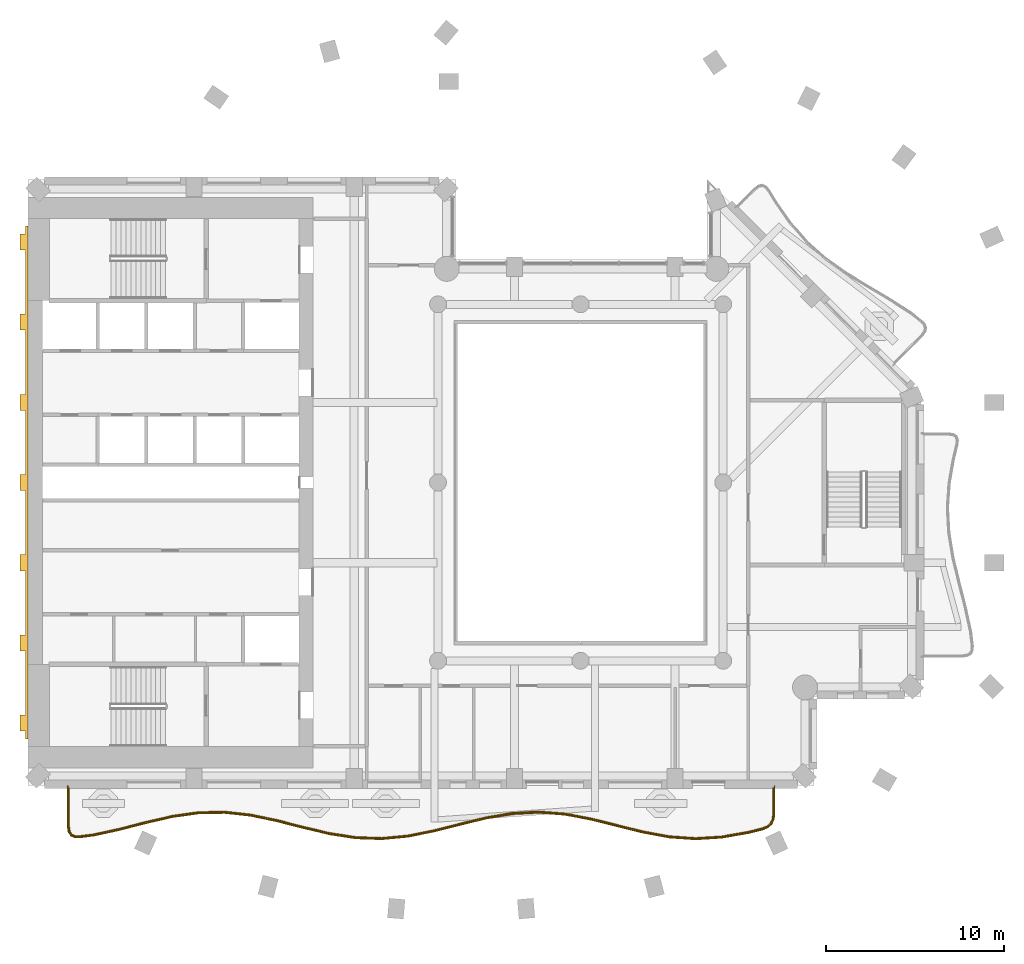
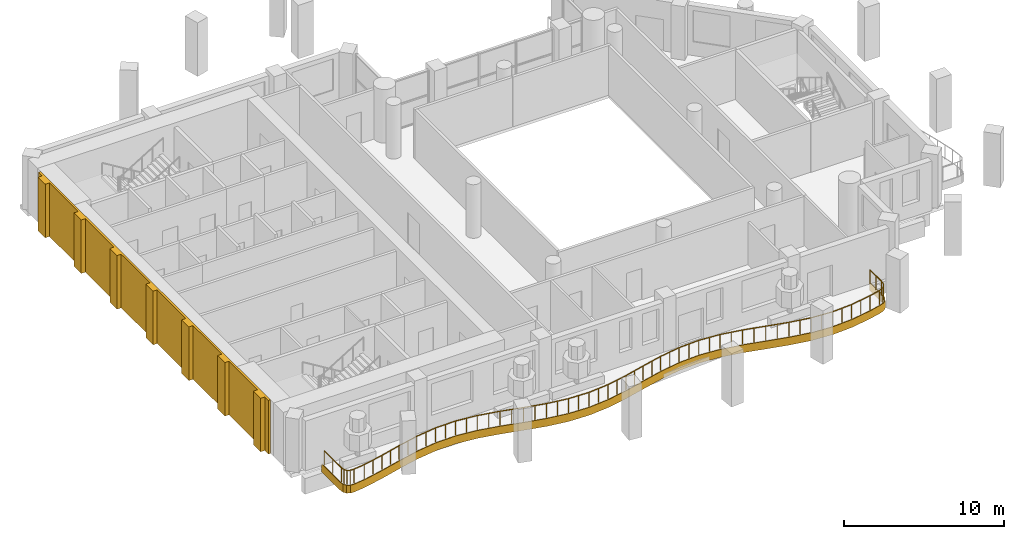
# One storey, part 10 of 14: 2 coverings, 1 railing.
"""IFC4 building model written with IfcOpenShell, lengths in metres."""

from ifc_helpers import new_model, si_unit, direction, frame, origin, origin_2d, place, context, subcontext, project, spatial, polyline, rectangle, outline, extrude, material, layer, layer_set, type_object, element, save


model = new_model("IFC4")

# Units and contexts
model_context = context("Model", 3, precision=1e-05, world=origin(), true_north=direction((0.0, 1.0)))
body_context = subcontext(model_context, "Body", "Model", "MODEL_VIEW")
ifc_project = project(units=[si_unit("LENGTHUNIT", "METRE"), si_unit("AREAUNIT", "SQUARE_METRE"), si_unit("VOLUMEUNIT", "CUBIC_METRE"), si_unit("PLANEANGLEUNIT", "RADIAN"), si_unit("MASSUNIT", "GRAM", prefix="KILO")], contexts=[model_context])

# Site, building, storey
site_placement = place(None, origin())
site = spatial("IfcSite", under=ifc_project, at=site_placement, CompositionType="ELEMENT")
building_placement = place(site_placement, origin())
building = spatial("IfcBuilding", under=site, at=building_placement, Name="Cypress Arch Tower", CompositionType="ELEMENT")
storey_placement = place(building_placement, frame((0.0, 0.0, 222.0)))
storey = spatial("IfcBuildingStorey", under=building, at=storey_placement, Name="L49", CompositionType="ELEMENT", Elevation=222.0)

# Covering
ifc_material_1 = material(Name="White powder-coated aluminium fascia", Category="aluminium")
ifc_layer_1 = layer(ifc_material_1, 0.050048828125)
ifc_layer_set_1 = layer_set([ifc_layer_1], Name="Balcony fascia BF50")
covering_type_1 = type_object("IfcCoveringType", Name="Balcony fascia BF50", PredefinedType="CLADDING", material=ifc_layer_set_1)
covering_1_placement = place(storey_placement, frame((0.0, 0.0, -0.60009765625)))
element("IfcCovering", 1, at=covering_1_placement, inside=storey, type_object=covering_type_1, Name="Balcony fascia L49-B01", PredefinedType="CLADDING", context=body_context, shape_type="SweptSolid", body=[
    extrude(outline(polyline([(11.89990234375, -18.610107421875), (11.857177734375, -18.929443359375), (11.72509765625, -19.1884765625), (11.5048828125, -19.378662109375), (11.205078125, -19.496337890625), (10.3935546875, -19.696044921875), (8.922607421875, -19.954833984375), (7.44970703125, -20.044677734375), (5.97705078125, -19.94189453125), (4.506103515625, -19.673583984375), (3.037841796875, -19.308837890625), (1.572509765625, -18.94140625), (0.110107421875, -18.66552734375), (-1.3505859375, -18.551025390625), (-2.811279296875, -18.62744140625), (-4.273193359375, -18.874755859375), (-5.738037109375, -19.230712890625), (-7.20556640625, -19.60400390625), (-8.676025390625, -19.89892578125), (-10.1484375, -20.0390625), (-11.621337890625, -19.98828125), (-13.093017578125, -19.760009765625), (-14.56201171875, -19.412841796875), (-16.028076171875, -19.036376953125), (-17.4912109375, -18.72705078125), (-18.952392578125, -18.563720703125), (-20.412841796875, -18.587890625), (-21.874267578125, -18.793212890625), (-23.338134765625, -19.127685546875), (-24.804931640625, -19.506103515625), (-26.274658203125, -19.8310546875), (-27.087158203125, -19.934814453125), (-27.390380859375, -19.929931640625), (-27.619384765625, -19.82080078125), (-27.756591796875, -19.607421875), (-27.800048828125, -19.307373046875), (-27.800048828125, -17.0009765625), (-27.75, -17.0009765625), (-27.75, -19.3037109375), (-27.708740234375, -19.589599609375), (-27.5849609375, -19.78173828125), (-27.378662109375, -19.880126953125), (-27.090087890625, -19.884765625), (-26.283447265625, -19.78173828125), (-24.816650390625, -19.45751953125), (-23.35009765625, -19.0791015625), (-21.88330078125, -18.744140625), (-20.416748046875, -18.537841796875), (-18.949951171875, -18.513671875), (-17.4833984375, -18.677734375), (-16.0166015625, -18.987548828125), (-14.550048828125, -19.3642578125), (-13.083251953125, -19.710693359375), (-11.61669921875, -19.9384765625), (-10.14990234375, -19.989013671875), (-8.683349609375, -19.849365234375), (-7.216552734375, -19.55517578125), (-5.75, -19.18212890625), (-4.283447265625, -18.825927734375), (-2.816650390625, -18.57763671875), (-1.35009765625, -18.5009765625), (0.11669921875, -18.615966796875), (1.583251953125, -18.892578125), (3.050048828125, -19.26025390625), (4.5166015625, -19.624755859375), (5.9833984375, -19.892333984375), (7.449951171875, -19.994384765625), (8.916748046875, -19.905029296875), (10.38330078125, -19.64697265625), (11.18994140625, -19.44873046875), (11.478759765625, -19.335205078125), (11.68505859375, -19.156982421875), (11.808837890625, -18.914306640625), (11.85009765625, -18.606689453125), (11.85009765625, -17.0009765625), (11.89990234375, -17.0009765625), (11.89990234375, -18.610107421875)])), origin(), (0.0, 0.0, 1.0), 0.60009765625),
])

# Railing
ifc_material_2 = material(Name="Powder-coated steel posts and rods, 100 mm clear between rods", Category="steel")
railing_type = type_object("IfcRailingType", Name="Balcony guard GR1100", PredefinedType="GUARDRAIL", material=ifc_material_2)
railing_placement = place(storey_placement, frame((11.800048828125, -17.14990234375, 0.0)))
element("IfcRailing", 2, at=railing_placement, inside=storey, type_object=railing_type, Name="Balcony guard L49-B01", PredefinedType="GUARDRAIL", context=body_context, shape_type="SweptSolid", body=[
    extrude(rectangle(XDim=0.050048828125, YDim=0.050048828125, at=origin_2d()), frame((0.0, 0.0, 1.0751953125), z_axis=(0.0, -1.0, 0.0), x_axis=(1.0, 0.0, 0.0)), (0.0, 0.0, 1.0), 1.45361328125),
    extrude(rectangle(XDim=0.050048828125, YDim=0.050048828125, at=origin_2d()), frame((0.0, -1.45361328125, 1.0751953125), z_axis=(-0.133396554096, -0.991062742391, 0.0), x_axis=(0.991062742391, -0.133396554096, 0.0)), (0.0, 0.0, 1.0), 0.29833984375),
    extrude(rectangle(XDim=0.050048828125, YDim=0.050048828125, at=origin_2d()), frame((-0.039794921875, -1.749267578125, 1.0751953125), z_axis=(-0.453350154298, -0.891332506755, 0.0), x_axis=(0.891332506755, -0.453350154298, 0.0)), (0.0, 0.0, 1.0), 0.254150390625),
    extrude(rectangle(XDim=0.050048828125, YDim=0.050048828125, at=origin_2d()), frame((-0.155029296875, -1.975830078125, 1.0751953125), z_axis=(-0.757082184026, -0.65331965119, 0.0), x_axis=(0.65331965119, -0.757082184026, 0.0)), (0.0, 0.0, 1.0), 0.254150390625),
    extrude(rectangle(XDim=0.050048828125, YDim=0.050048828125, at=origin_2d()), frame((-0.347412109375, -2.141845703125, 1.0751953125), z_axis=(-0.930771374741, -0.365601761432, 0.0), x_axis=(0.365601761432, -0.930771374741, 0.0)), (0.0, 0.0, 1.0), 0.298583984375),
    extrude(rectangle(XDim=0.050048828125, YDim=0.050048828125, at=origin_2d()), frame((-0.625244140625, -2.2509765625, 1.0751953125), z_axis=(-0.971108776171, -0.238637266251, 0.0), x_axis=(0.238637266251, -0.971108776171, 0.0)), (0.0, 0.0, 1.0), 0.82568359375),
    extrude(rectangle(XDim=0.050048828125, YDim=0.050048828125, at=origin_2d()), frame((-1.427001953125, -2.447998046875, 1.0751953125), z_axis=(-0.984864570663, -0.17332563992, 0.0), x_axis=(0.17332563992, -0.984864570663, 0.0)), (0.0, 0.0, 1.0), 1.484619140625),
    extrude(rectangle(XDim=0.050048828125, YDim=0.050048828125, at=origin_2d()), frame((-2.88916015625, -2.705322265625, 1.0751953125), z_axis=(-0.998144300984, -0.060892975073, 0.0), x_axis=(0.060892975073, -0.998144300984, 0.0)), (0.0, 0.0, 1.0), 1.46337890625),
    extrude(rectangle(XDim=0.050048828125, YDim=0.050048828125, at=origin_2d()), frame((-4.349853515625, -2.79443359375, 1.0751953125), z_axis=(-0.997579944344, 0.069528804411, 0.0), x_axis=(-0.069528804411, -0.997579944344, 0.0)), (0.0, 0.0, 1.0), 1.46435546875),
    extrude(rectangle(XDim=0.050048828125, YDim=0.050048828125, at=origin_2d()), frame((-5.810546875, -2.692626953125, 1.0751953125), z_axis=(-0.983756721404, 0.179506860851, 0.0), x_axis=(-0.179506860851, -0.983756721404, 0.0)), (0.0, 0.0, 1.0), 1.486572265625),
    extrude(rectangle(XDim=0.050048828125, YDim=0.050048828125, at=origin_2d()), frame((-7.27294921875, -2.42578125, 1.0751953125), z_axis=(-0.970531296083, 0.240975109342, 0.0), x_axis=(-0.240975109342, -0.970531296083, 0.0)), (0.0, 0.0, 1.0), 1.509521484375),
    extrude(rectangle(XDim=0.050048828125, YDim=0.050048828125, at=origin_2d()), frame((-8.738037109375, -2.06201171875, 1.0751953125), z_axis=(-0.96996194355, 0.243256712269, 0.0), x_axis=(-0.243256712269, -0.96996194355, 0.0)), (0.0, 0.0, 1.0), 1.513427734375),
    extrude(rectangle(XDim=0.050048828125, YDim=0.050048828125, at=origin_2d()), frame((-10.2060546875, -1.69384765625, 1.0751953125), z_axis=(-0.982649875994, 0.185470270419, 0.0), x_axis=(-0.185470270419, -0.982649875994, 0.0)), (0.0, 0.0, 1.0), 1.49658203125),
    extrude(rectangle(XDim=0.050048828125, YDim=0.050048828125, at=origin_2d()), frame((-11.6767578125, -1.416259765625, 1.0751953125), z_axis=(-0.99695250827, 0.078010872663, 0.0), x_axis=(-0.078010872663, -0.99695250827, 0.0)), (0.0, 0.0, 1.0), 1.47705078125),
    extrude(rectangle(XDim=0.050048828125, YDim=0.050048828125, at=origin_2d()), frame((-13.1494140625, -1.301025390625, 1.0751953125), z_axis=(-0.998639690925, -0.052141803852, 0.0), x_axis=(0.052141803852, -0.998639690925, 0.0)), (0.0, 0.0, 1.0), 1.474853515625),
    extrude(rectangle(XDim=0.050048828125, YDim=0.050048828125, at=origin_2d()), frame((-14.622314453125, -1.3779296875, 1.0751953125), z_axis=(-0.985975087002, -0.166892563681, 0.0), x_axis=(0.166892563681, -0.985975087002, 0.0)), (0.0, 0.0, 1.0), 1.4921875),
    extrude(rectangle(XDim=0.050048828125, YDim=0.050048828125, at=origin_2d()), frame((-16.093505859375, -1.626953125, 1.0751953125), z_axis=(-0.971745764253, -0.236030018549, 0.0), x_axis=(0.236030018549, -0.971745764253, 0.0)), (0.0, 0.0, 1.0), 1.51123046875),
    extrude(rectangle(XDim=0.050048828125, YDim=0.050048828125, at=origin_2d()), frame((-17.56201171875, -1.983642578125, 1.0751953125), z_axis=(-0.969146967384, -0.246483580812, 0.0), x_axis=(0.246483580812, -0.969146967384, 0.0)), (0.0, 0.0, 1.0), 1.512451171875),
    extrude(rectangle(XDim=0.050048828125, YDim=0.050048828125, at=origin_2d()), frame((-19.02783203125, -2.3564453125, 1.0751953125), z_axis=(-0.980467230228, -0.196682511805, 0.0), x_axis=(0.196682511805, -0.980467230228, 0.0)), (0.0, 0.0, 1.0), 1.491943359375),
    extrude(rectangle(XDim=0.050048828125, YDim=0.050048828125, at=origin_2d()), frame((-20.49072265625, -2.64990234375, 1.0751953125), z_axis=(-0.995493977106, -0.094824793942, 0.0), x_axis=(0.094824793942, -0.995493977106, 0.0)), (0.0, 0.0, 1.0), 1.467529296875),
    extrude(rectangle(XDim=0.050048828125, YDim=0.050048828125, at=origin_2d()), frame((-21.95166015625, -2.7890625, 1.0751953125), z_axis=(-0.999407585649, 0.034416242501, 0.0), x_axis=(-0.034416242501, -0.999407585649, 0.0)), (0.0, 0.0, 1.0), 1.46142578125),
    extrude(rectangle(XDim=0.050048828125, YDim=0.050048828125, at=origin_2d()), frame((-23.412109375, -2.73876953125, 1.0751953125), z_axis=(-0.988149312953, 0.153495717562, 0.0), x_axis=(-0.153495717562, -0.988149312953, 0.0)), (0.0, 0.0, 1.0), 1.479248046875),
    extrude(rectangle(XDim=0.050048828125, YDim=0.050048828125, at=origin_2d()), frame((-24.873779296875, -2.51171875, 1.0751953125), z_axis=(-0.973210362373, 0.229916486076, 0.0), x_axis=(-0.229916486076, -0.973210362373, 0.0)), (0.0, 0.0, 1.0), 1.504638671875),
    extrude(rectangle(XDim=0.050048828125, YDim=0.050048828125, at=origin_2d()), frame((-26.338134765625, -2.165771484375, 1.0751953125), z_axis=(-0.968587265309, 0.248673901892, 0.0), x_axis=(-0.248673901892, -0.968587265309, 0.0)), (0.0, 0.0, 1.0), 1.514892578125),
    extrude(rectangle(XDim=0.050048828125, YDim=0.050048828125, at=origin_2d()), frame((-27.805419921875, -1.7890625, 1.0751953125), z_axis=(-0.978371842616, 0.206853903944, 0.0), x_axis=(-0.206853903944, -0.978371842616, 0.0)), (0.0, 0.0, 1.0), 1.50244140625),
    extrude(rectangle(XDim=0.050048828125, YDim=0.050048828125, at=origin_2d()), frame((-29.275390625, -1.478271484375, 1.0751953125), z_axis=(-0.993811165225, 0.111082707357, 0.0), x_axis=(-0.111082707357, -0.993811165225, 0.0)), (0.0, 0.0, 1.0), 1.4814453125),
    extrude(rectangle(XDim=0.050048828125, YDim=0.050048828125, at=origin_2d()), frame((-30.74755859375, -1.313720703125, 1.0751953125), z_axis=(-0.999862700188, -0.016570478956, 0.0), x_axis=(0.016570478956, -0.999862700188, 0.0)), (0.0, 0.0, 1.0), 1.473388671875),
    extrude(rectangle(XDim=0.050048828125, YDim=0.050048828125, at=origin_2d()), frame((-32.220703125, -1.338134765625, 1.0751953125), z_axis=(-0.99027214707, -0.139144079059, 0.0), x_axis=(0.139144079059, -0.99027214707, 0.0)), (0.0, 0.0, 1.0), 1.486083984375),
    extrude(rectangle(XDim=0.050048828125, YDim=0.050048828125, at=origin_2d()), frame((-33.6923828125, -1.544921875, 1.0751953125), z_axis=(-0.97488564061, -0.222706056793, 0.0), x_axis=(0.222706056793, -0.97488564061, 0.0)), (0.0, 0.0, 1.0), 1.50732421875),
    extrude(rectangle(XDim=0.050048828125, YDim=0.050048828125, at=origin_2d()), frame((-35.161865234375, -1.880615234375, 1.0751953125), z_axis=(-0.968284871806, -0.24984876832, 0.0), x_axis=(0.24984876832, -0.968284871806, 0.0)), (0.0, 0.0, 1.0), 1.5146484375),
    extrude(rectangle(XDim=0.050048828125, YDim=0.050048828125, at=origin_2d()), frame((-36.62841796875, -2.259033203125, 1.0751953125), z_axis=(-0.976435519493, -0.215809351681, 0.0), x_axis=(0.215809351681, -0.976435519493, 0.0)), (0.0, 0.0, 1.0), 1.4990234375),
    extrude(rectangle(XDim=0.050048828125, YDim=0.050048828125, at=origin_2d()), frame((-38.092041015625, -2.58251953125, 1.0751953125), z_axis=(-0.991939268929, -0.126714193195, 0.0), x_axis=(0.126714193195, -0.991939268929, 0.0)), (0.0, 0.0, 1.0), 0.807373046875),
    extrude(rectangle(XDim=0.050048828125, YDim=0.050048828125, at=origin_2d()), frame((-38.892822265625, -2.684814453125, 1.0751953125), z_axis=(-0.999871568419, 0.016026436537, 0.0), x_axis=(-0.016026436537, -0.999871568419, 0.0)), (0.0, 0.0, 1.0), 0.274169921875),
    extrude(rectangle(XDim=0.050048828125, YDim=0.050048828125, at=origin_2d()), frame((-39.1669921875, -2.680419921875, 1.0751953125), z_axis=(-0.9024386252, 0.430818439424, 0.0), x_axis=(-0.430818439424, -0.9024386252, 0.0)), (0.0, 0.0, 1.0), 0.203369140625),
    extrude(rectangle(XDim=0.050048828125, YDim=0.050048828125, at=origin_2d()), frame((-39.3505859375, -2.5927734375, 1.0751953125), z_axis=(-0.542454855809, 0.840084953686, 0.0), x_axis=(-0.840084953686, -0.542454855809, 0.0)), (0.0, 0.0, 1.0), 0.203369140625),
    extrude(rectangle(XDim=0.050048828125, YDim=0.050048828125, at=origin_2d()), frame((-39.4609375, -2.421875, 1.0751953125), z_axis=(-0.142292845106, 0.989824603772, 0.0), x_axis=(-0.989824603772, -0.142292845106, 0.0)), (0.0, 0.0, 1.0), 0.2744140625),
    extrude(rectangle(XDim=0.050048828125, YDim=0.050048828125, at=origin_2d()), frame((-39.5, -2.150146484375, 1.0751953125), z_axis=(0.0, 1.0, 0.0), x_axis=(-1.0, 0.0, 0.0)), (0.0, 0.0, 1.0), 2.150146484375),
    extrude(rectangle(XDim=0.0400390625, YDim=0.0400390625, at=origin_2d()), origin(), (0.0, 0.0, 1.0), 1.050048828125),
    extrude(rectangle(XDim=0.0400390625, YDim=0.0400390625, at=origin_2d()), frame((0.0, -0.726806640625, 0.0)), (0.0, 0.0, 1.0), 1.050048828125),
    extrude(rectangle(XDim=0.0400390625, YDim=0.0400390625, at=origin_2d()), frame((0.0, -1.45361328125, 0.0)), (0.0, 0.0, 1.0), 1.050048828125),
    extrude(rectangle(XDim=0.0400390625, YDim=0.0400390625, at=origin_2d()), frame((-0.039794921875, -1.749267578125, 0.0)), (0.0, 0.0, 1.0), 1.050048828125),
    extrude(rectangle(XDim=0.0400390625, YDim=0.0400390625, at=origin_2d()), frame((-0.155029296875, -1.975830078125, 0.0)), (0.0, 0.0, 1.0), 1.050048828125),
    extrude(rectangle(XDim=0.0400390625, YDim=0.0400390625, at=origin_2d()), frame((-0.347412109375, -2.141845703125, 0.0)), (0.0, 0.0, 1.0), 1.050048828125),
    extrude(rectangle(XDim=0.0400390625, YDim=0.0400390625, at=origin_2d()), frame((-0.625244140625, -2.2509765625, 0.0)), (0.0, 0.0, 1.0), 1.050048828125),
    extrude(rectangle(XDim=0.0400390625, YDim=0.0400390625, at=origin_2d()), frame((-1.427001953125, -2.447998046875, 0.0)), (0.0, 0.0, 1.0), 1.050048828125),
    extrude(rectangle(XDim=0.0400390625, YDim=0.0400390625, at=origin_2d()), frame((-2.158203125, -2.57666015625, 0.0)), (0.0, 0.0, 1.0), 1.050048828125),
    extrude(rectangle(XDim=0.0400390625, YDim=0.0400390625, at=origin_2d()), frame((-2.88916015625, -2.705322265625, 0.0)), (0.0, 0.0, 1.0), 1.050048828125),
    extrude(rectangle(XDim=0.0400390625, YDim=0.0400390625, at=origin_2d()), frame((-3.61962890625, -2.75, 0.0)), (0.0, 0.0, 1.0), 1.050048828125),
    extrude(rectangle(XDim=0.0400390625, YDim=0.0400390625, at=origin_2d()), frame((-4.349853515625, -2.79443359375, 0.0)), (0.0, 0.0, 1.0), 1.050048828125),
    extrude(rectangle(XDim=0.0400390625, YDim=0.0400390625, at=origin_2d()), frame((-5.080078125, -2.74365234375, 0.0)), (0.0, 0.0, 1.0), 1.050048828125),
    extrude(rectangle(XDim=0.0400390625, YDim=0.0400390625, at=origin_2d()), frame((-5.810546875, -2.692626953125, 0.0)), (0.0, 0.0, 1.0), 1.050048828125),
    extrude(rectangle(XDim=0.0400390625, YDim=0.0400390625, at=origin_2d()), frame((-6.541748046875, -2.55908203125, 0.0)), (0.0, 0.0, 1.0), 1.050048828125),
    extrude(rectangle(XDim=0.0400390625, YDim=0.0400390625, at=origin_2d()), frame((-7.27294921875, -2.42578125, 0.0)), (0.0, 0.0, 1.0), 1.050048828125),
    extrude(rectangle(XDim=0.0400390625, YDim=0.0400390625, at=origin_2d()), frame((-8.00537109375, -2.243896484375, 0.0)), (0.0, 0.0, 1.0), 1.050048828125),
    extrude(rectangle(XDim=0.0400390625, YDim=0.0400390625, at=origin_2d()), frame((-8.738037109375, -2.06201171875, 0.0)), (0.0, 0.0, 1.0), 1.050048828125),
    extrude(rectangle(XDim=0.0400390625, YDim=0.0400390625, at=origin_2d()), frame((-9.47216796875, -1.8779296875, 0.0)), (0.0, 0.0, 1.0), 1.050048828125),
    extrude(rectangle(XDim=0.0400390625, YDim=0.0400390625, at=origin_2d()), frame((-10.2060546875, -1.69384765625, 0.0)), (0.0, 0.0, 1.0), 1.050048828125),
    extrude(rectangle(XDim=0.0400390625, YDim=0.0400390625, at=origin_2d()), frame((-10.94140625, -1.55517578125, 0.0)), (0.0, 0.0, 1.0), 1.050048828125),
    extrude(rectangle(XDim=0.0400390625, YDim=0.0400390625, at=origin_2d()), frame((-11.6767578125, -1.416259765625, 0.0)), (0.0, 0.0, 1.0), 1.050048828125),
    extrude(rectangle(XDim=0.0400390625, YDim=0.0400390625, at=origin_2d()), frame((-12.4130859375, -1.358642578125, 0.0)), (0.0, 0.0, 1.0), 1.050048828125),
    extrude(rectangle(XDim=0.0400390625, YDim=0.0400390625, at=origin_2d()), frame((-13.1494140625, -1.301025390625, 0.0)), (0.0, 0.0, 1.0), 1.050048828125),
    extrude(rectangle(XDim=0.0400390625, YDim=0.0400390625, at=origin_2d()), frame((-13.8857421875, -1.33935546875, 0.0)), (0.0, 0.0, 1.0), 1.050048828125),
    extrude(rectangle(XDim=0.0400390625, YDim=0.0400390625, at=origin_2d()), frame((-14.622314453125, -1.3779296875, 0.0)), (0.0, 0.0, 1.0), 1.050048828125),
    extrude(rectangle(XDim=0.0400390625, YDim=0.0400390625, at=origin_2d()), frame((-15.35791015625, -1.50244140625, 0.0)), (0.0, 0.0, 1.0), 1.050048828125),
    extrude(rectangle(XDim=0.0400390625, YDim=0.0400390625, at=origin_2d()), frame((-16.093505859375, -1.626953125, 0.0)), (0.0, 0.0, 1.0), 1.050048828125),
    extrude(rectangle(XDim=0.0400390625, YDim=0.0400390625, at=origin_2d()), frame((-16.82763671875, -1.80517578125, 0.0)), (0.0, 0.0, 1.0), 1.050048828125),
    extrude(rectangle(XDim=0.0400390625, YDim=0.0400390625, at=origin_2d()), frame((-17.56201171875, -1.983642578125, 0.0)), (0.0, 0.0, 1.0), 1.050048828125),
    extrude(rectangle(XDim=0.0400390625, YDim=0.0400390625, at=origin_2d()), frame((-18.294921875, -2.169921875, 0.0)), (0.0, 0.0, 1.0), 1.050048828125),
    extrude(rectangle(XDim=0.0400390625, YDim=0.0400390625, at=origin_2d()), frame((-19.02783203125, -2.3564453125, 0.0)), (0.0, 0.0, 1.0), 1.050048828125),
    extrude(rectangle(XDim=0.0400390625, YDim=0.0400390625, at=origin_2d()), frame((-19.75927734375, -2.503173828125, 0.0)), (0.0, 0.0, 1.0), 1.050048828125),
    extrude(rectangle(XDim=0.0400390625, YDim=0.0400390625, at=origin_2d()), frame((-20.49072265625, -2.64990234375, 0.0)), (0.0, 0.0, 1.0), 1.050048828125),
    extrude(rectangle(XDim=0.0400390625, YDim=0.0400390625, at=origin_2d()), frame((-21.22119140625, -2.719482421875, 0.0)), (0.0, 0.0, 1.0), 1.050048828125),
    extrude(rectangle(XDim=0.0400390625, YDim=0.0400390625, at=origin_2d()), frame((-21.95166015625, -2.7890625, 0.0)), (0.0, 0.0, 1.0), 1.050048828125),
    extrude(rectangle(XDim=0.0400390625, YDim=0.0400390625, at=origin_2d()), frame((-22.681884765625, -2.763916015625, 0.0)), (0.0, 0.0, 1.0), 1.050048828125),
    extrude(rectangle(XDim=0.0400390625, YDim=0.0400390625, at=origin_2d()), frame((-23.412109375, -2.73876953125, 0.0)), (0.0, 0.0, 1.0), 1.050048828125),
    extrude(rectangle(XDim=0.0400390625, YDim=0.0400390625, at=origin_2d()), frame((-24.14306640625, -2.625244140625, 0.0)), (0.0, 0.0, 1.0), 1.050048828125),
    extrude(rectangle(XDim=0.0400390625, YDim=0.0400390625, at=origin_2d()), frame((-24.873779296875, -2.51171875, 0.0)), (0.0, 0.0, 1.0), 1.050048828125),
    extrude(rectangle(XDim=0.0400390625, YDim=0.0400390625, at=origin_2d()), frame((-25.60595703125, -2.3388671875, 0.0)), (0.0, 0.0, 1.0), 1.050048828125),
    extrude(rectangle(XDim=0.0400390625, YDim=0.0400390625, at=origin_2d()), frame((-26.338134765625, -2.165771484375, 0.0)), (0.0, 0.0, 1.0), 1.050048828125),
    extrude(rectangle(XDim=0.0400390625, YDim=0.0400390625, at=origin_2d()), frame((-27.07177734375, -1.9775390625, 0.0)), (0.0, 0.0, 1.0), 1.050048828125),
    extrude(rectangle(XDim=0.0400390625, YDim=0.0400390625, at=origin_2d()), frame((-27.805419921875, -1.7890625, 0.0)), (0.0, 0.0, 1.0), 1.050048828125),
    extrude(rectangle(XDim=0.0400390625, YDim=0.0400390625, at=origin_2d()), frame((-28.54052734375, -1.6337890625, 0.0)), (0.0, 0.0, 1.0), 1.050048828125),
    extrude(rectangle(XDim=0.0400390625, YDim=0.0400390625, at=origin_2d()), frame((-29.275390625, -1.478271484375, 0.0)), (0.0, 0.0, 1.0), 1.050048828125),
    extrude(rectangle(XDim=0.0400390625, YDim=0.0400390625, at=origin_2d()), frame((-30.011474609375, -1.39599609375, 0.0)), (0.0, 0.0, 1.0), 1.050048828125),
    extrude(rectangle(XDim=0.0400390625, YDim=0.0400390625, at=origin_2d()), frame((-30.74755859375, -1.313720703125, 0.0)), (0.0, 0.0, 1.0), 1.050048828125),
    extrude(rectangle(XDim=0.0400390625, YDim=0.0400390625, at=origin_2d()), frame((-31.484130859375, -1.325927734375, 0.0)), (0.0, 0.0, 1.0), 1.050048828125),
    extrude(rectangle(XDim=0.0400390625, YDim=0.0400390625, at=origin_2d()), frame((-32.220703125, -1.338134765625, 0.0)), (0.0, 0.0, 1.0), 1.050048828125),
    extrude(rectangle(XDim=0.0400390625, YDim=0.0400390625, at=origin_2d()), frame((-32.95654296875, -1.44140625, 0.0)), (0.0, 0.0, 1.0), 1.050048828125),
    extrude(rectangle(XDim=0.0400390625, YDim=0.0400390625, at=origin_2d()), frame((-33.6923828125, -1.544921875, 0.0)), (0.0, 0.0, 1.0), 1.050048828125),
    extrude(rectangle(XDim=0.0400390625, YDim=0.0400390625, at=origin_2d()), frame((-34.42724609375, -1.712890625, 0.0)), (0.0, 0.0, 1.0), 1.050048828125),
    extrude(rectangle(XDim=0.0400390625, YDim=0.0400390625, at=origin_2d()), frame((-35.161865234375, -1.880615234375, 0.0)), (0.0, 0.0, 1.0), 1.050048828125),
    extrude(rectangle(XDim=0.0400390625, YDim=0.0400390625, at=origin_2d()), frame((-35.89501953125, -2.06982421875, 0.0)), (0.0, 0.0, 1.0), 1.050048828125),
    extrude(rectangle(XDim=0.0400390625, YDim=0.0400390625, at=origin_2d()), frame((-36.62841796875, -2.259033203125, 0.0)), (0.0, 0.0, 1.0), 1.050048828125),
    extrude(rectangle(XDim=0.0400390625, YDim=0.0400390625, at=origin_2d()), frame((-37.3603515625, -2.4208984375, 0.0)), (0.0, 0.0, 1.0), 1.050048828125),
    extrude(rectangle(XDim=0.0400390625, YDim=0.0400390625, at=origin_2d()), frame((-38.092041015625, -2.58251953125, 0.0)), (0.0, 0.0, 1.0), 1.050048828125),
    extrude(rectangle(XDim=0.0400390625, YDim=0.0400390625, at=origin_2d()), frame((-38.892822265625, -2.684814453125, 0.0)), (0.0, 0.0, 1.0), 1.050048828125),
    extrude(rectangle(XDim=0.0400390625, YDim=0.0400390625, at=origin_2d()), frame((-39.1669921875, -2.680419921875, 0.0)), (0.0, 0.0, 1.0), 1.050048828125),
    extrude(rectangle(XDim=0.0400390625, YDim=0.0400390625, at=origin_2d()), frame((-39.3505859375, -2.5927734375, 0.0)), (0.0, 0.0, 1.0), 1.050048828125),
    extrude(rectangle(XDim=0.0400390625, YDim=0.0400390625, at=origin_2d()), frame((-39.4609375, -2.421875, 0.0)), (0.0, 0.0, 1.0), 1.050048828125),
    extrude(rectangle(XDim=0.0400390625, YDim=0.0400390625, at=origin_2d()), frame((-39.5, -2.150146484375, 0.0)), (0.0, 0.0, 1.0), 1.050048828125),
    extrude(rectangle(XDim=0.0400390625, YDim=0.0400390625, at=origin_2d()), frame((-39.5, -1.0751953125, 0.0)), (0.0, 0.0, 1.0), 1.050048828125),
    extrude(rectangle(XDim=0.0400390625, YDim=0.0400390625, at=origin_2d()), frame((-39.5, 0.0, 0.0)), (0.0, 0.0, 1.0), 1.050048828125),
])

# Covering
ifc_material_3 = material(Name="Brick (red buff blend)", Category="masonry")
ifc_layer_2 = layer(ifc_material_3, 0.449951171875)
ifc_layer_set_2 = layer_set([ifc_layer_2], Name="West face brick piers WP450")
covering_type_2 = type_object("IfcCoveringType", Name="West face brick piers WP450", PredefinedType="CLADDING", material=ifc_layer_set_2)
covering_2_placement = place(storey_placement, origin())
element("IfcCovering", 3, at=covering_2_placement, inside=storey, type_object=covering_type_2, Name="West face brick piers L49", PredefinedType="CLADDING", context=body_context, shape_type="SweptSolid", body=[
    extrude(outline(polyline([(-30.14990234375, -13.050048828125), (-30.14990234375, -9.449951171875), (-30.449951171875, -9.449951171875), (-30.449951171875, -8.550048828125), (-30.14990234375, -8.550048828125), (-30.14990234375, -4.949951171875), (-30.449951171875, -4.949951171875), (-30.449951171875, -4.050048828125), (-30.14990234375, -4.050048828125), (-30.14990234375, -0.449951171875), (-30.449951171875, -0.449951171875), (-30.449951171875, 0.449951171875), (-30.14990234375, 0.449951171875), (-30.14990234375, 4.050048828125), (-30.449951171875, 4.050048828125), (-30.449951171875, 4.949951171875), (-30.14990234375, 4.949951171875), (-30.14990234375, 8.550048828125), (-30.449951171875, 8.550048828125), (-30.449951171875, 9.449951171875), (-30.14990234375, 9.449951171875), (-30.14990234375, 13.050048828125), (-30.449951171875, 13.050048828125), (-30.449951171875, 13.949951171875), (-30.14990234375, 13.949951171875), (-30.14990234375, 14.39990234375), (-30.0, 14.39990234375), (-30.0, -14.39990234375), (-30.14990234375, -14.39990234375), (-30.14990234375, -13.949951171875), (-30.449951171875, -13.949951171875), (-30.449951171875, -13.050048828125), (-30.14990234375, -13.050048828125)])), origin(), (0.0, 0.0, 1.0), 4.10009765625),
])

save(model, "model.ifc")
